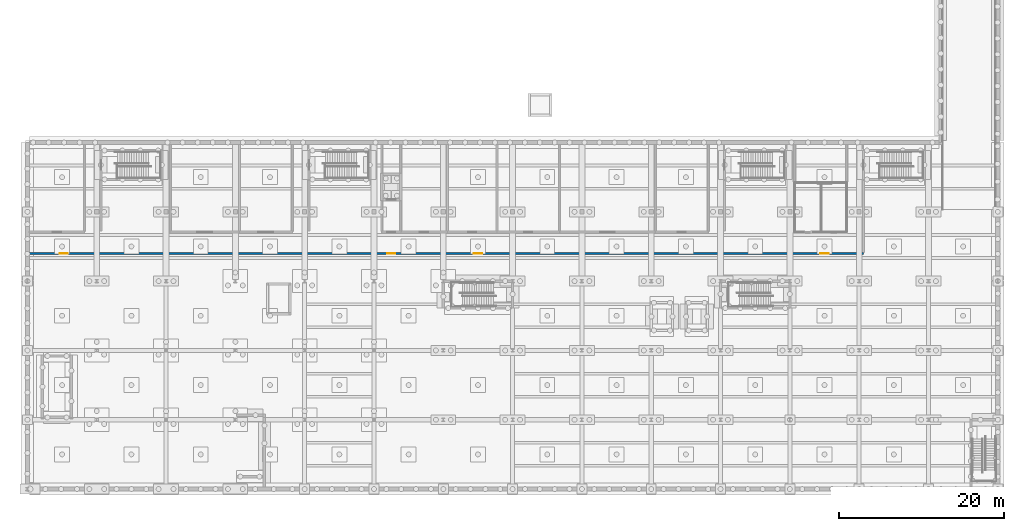
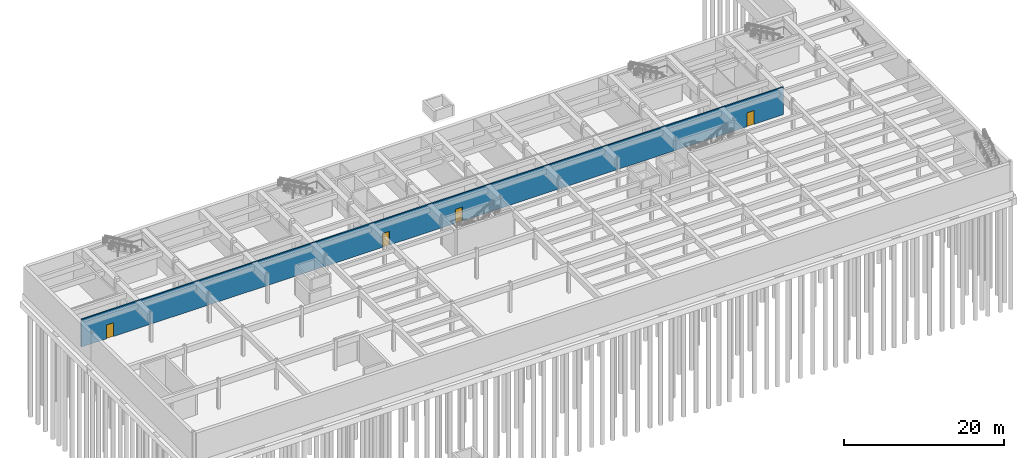
# One storey, part 23 of 33: 4 doors, 1 wall, 4 openings.
"""IFC4 building model written with IfcOpenShell, lengths in metres."""

import ifcopenshell
import ifcopenshell.guid

model = None  # the IFC model being written
_history = None  # IfcOwnerHistory: only IFC2X3 demands one
_inside = {}  # id of a spatial element -> (the spatial element, [elements in it])
_under = {}  # id of a project, library or spatial element -> (it, [spatial elements below it])
_declared = {}  # id of a project -> (the project, [libraries it declares])
_typed = {}  # id of a type object -> (the type object, [elements of that type])
_made_of = {}  # id of a material, layer set ... -> (it, [elements and type objects made of it])


def new_model(schema):
    """Start an empty IFC model of exactly this schema.

    Asked for "IFC4X3", IfcOpenShell would pick the latest addendum, in which some entities
    have other attributes; the version numbers below select the first issue.
    IFC2X3 requires an IfcOwnerHistory on every rooted entity: one is made here for all.
    """
    global model, _history
    if schema == "IFC4X3":
        model = ifcopenshell.file(schema_version=(4, 3, 0, 0))
    else:
        model = ifcopenshell.file(schema=schema)
    _inside.clear()
    _under.clear()
    _declared.clear()
    _typed.clear()
    _made_of.clear()
    _history = None
    if model.schema == "IFC2X3":
        org = make("IfcOrganization", Name="unknown")
        user = make(
            "IfcPersonAndOrganization",
            ThePerson=make("IfcPerson", FamilyName="unknown"),
            TheOrganization=org,
        )
        app = make(
            "IfcApplication",
            ApplicationDeveloper=org,
            Version="unknown",
            ApplicationFullName="unknown",
            ApplicationIdentifier="unknown",
        )
        _history = make(
            "IfcOwnerHistory",
            OwningUser=user,
            OwningApplication=app,
            ChangeAction="ADDED",
            CreationDate=0,
        )
    return model


def make(cls, **values):
    """One entity of the class cls with the attributes given. An attribute that is None is left unset."""
    return model.create_entity(
        cls, **{name: value for name, value in values.items() if value is not None}
    )


def rooted(cls, **values):
    """An entity with a GlobalId (a new one), such as an element, a storey or a relation."""
    return make(cls, GlobalId=ifcopenshell.guid.new(), OwnerHistory=_history, **values)


def si_unit(unit_type, name, prefix=None):
    """IfcSIUnit, for example si_unit("LENGTHUNIT", "METRE", prefix="MILLI")."""
    return make("IfcSIUnit", UnitType=unit_type, Prefix=prefix, Name=name)


def assignment(units):
    """IfcUnitAssignment: the units of a project."""
    return None if units is None else make("IfcUnitAssignment", Units=units)


def point(xyz):
    """IfcCartesianPoint."""
    return None if xyz is None else make("IfcCartesianPoint", Coordinates=xyz)


def direction(xyz):
    """IfcDirection."""
    return None if xyz is None else make("IfcDirection", DirectionRatios=xyz)


def frame(location, z_axis=None, x_axis=None):
    """IfcAxis2Placement3D, a coordinate frame: its origin and axes. An axis left out is left unset."""
    return make(
        "IfcAxis2Placement3D",
        Location=point(location),
        Axis=direction(z_axis),
        RefDirection=direction(x_axis),
    )


def frame_2d(location, x_axis=None):
    """IfcAxis2Placement2D, a coordinate frame in the plane: its origin and x axis."""
    return make(
        "IfcAxis2Placement2D", Location=point(location), RefDirection=direction(x_axis)
    )


def origin():
    """The frame at (0, 0, 0) with its axes left unset."""
    return frame((0.0, 0.0, 0.0))


def place(relative_to, where):
    """IfcLocalPlacement: puts the frame where relative to a parent placement (None: the world)."""
    return make(
        "IfcLocalPlacement", PlacementRelTo=relative_to, RelativePlacement=where
    )


def context(
    kind, dimensions, precision=None, world=None, true_north=None, identifier=None
):
    """IfcGeometricRepresentationContext, for example the 3D "Model" context."""
    return make(
        "IfcGeometricRepresentationContext",
        ContextIdentifier=identifier,
        ContextType=kind,
        CoordinateSpaceDimension=dimensions,
        Precision=precision,
        WorldCoordinateSystem=world,
        TrueNorth=true_north,
    )


def subcontext(parent, identifier, kind, view, scale=None):
    """IfcGeometricRepresentationSubContext, for example "Body" below "Model"."""
    return make(
        "IfcGeometricRepresentationSubContext",
        ContextIdentifier=identifier,
        ContextType=kind,
        ParentContext=parent,
        TargetScale=scale,
        TargetView=view,
    )


def project(units=None, contexts=None):
    """IfcProject with its units and contexts."""
    return rooted(
        "IfcProject",
        Name="project",
        RepresentationContexts=contexts,
        UnitsInContext=assignment(units),
    )


def spatial(cls, under=None, at=None, **own):
    """A site, building, storey or space (cls), placed at a placement, below another one or the project."""
    s = rooted(cls, ObjectPlacement=at, **own)
    if under is not None:
        _under.setdefault(under.id(), (under, []))[1].append(s)
    return s


def profile(cls, at=None, kind="AREA", **sizes):
    """A parametric profile (cls). Its sizes go by their IFC names, for example OverallWidth=200.0."""
    return make(cls, ProfileType=kind, Position=at, **sizes)


def rectangle(**sizes):
    """IfcRectangleProfileDef."""
    return profile("IfcRectangleProfileDef", **sizes)


def extrude(swept, where, along, depth):
    """IfcExtrudedAreaSolid: the profile swept, set in the frame where, extruded along a direction by depth."""
    return make(
        "IfcExtrudedAreaSolid",
        SweptArea=swept,
        Position=where,
        ExtrudedDirection=direction(along),
        Depth=depth,
    )


def shape(context_of_items, identifier, shape_type, items):
    """IfcShapeRepresentation: the items that make up one representation, for example the "Body"."""
    return make(
        "IfcShapeRepresentation",
        ContextOfItems=context_of_items,
        RepresentationIdentifier=identifier,
        RepresentationType=shape_type,
        Items=items,
    )


def material(Name=None, Category=None):
    """IfcMaterial."""
    return make("IfcMaterial", Name=Name, Category=Category)


def layer(
    of_material, thickness, ventilated=None, Name=None, Category=None, Priority=None
):
    """IfcMaterialLayer: one layer of a wall or slab, of a material (None: an air gap)."""
    return make(
        "IfcMaterialLayer",
        Material=of_material,
        LayerThickness=thickness,
        IsVentilated=ventilated,
        Name=Name,
        Category=Category,
        Priority=Priority,
    )


def layer_set(layers, Name=None):
    """IfcMaterialLayerSet."""
    return make("IfcMaterialLayerSet", MaterialLayers=layers, LayerSetName=Name)


def made_of(thing, what):
    """Note that an element or type object is made of a material, layer set ...; save() writes the relation."""
    if what is not None:
        _made_of.setdefault(what.id(), (what, []))[1].append(thing)
    return thing


def type_object(cls, material=None, **own):
    """A type object (cls), such as IfcWallType, which elements share."""
    return made_of(rooted(cls, **own), material)


def element(
    cls,
    number,
    at=None,
    inside=None,
    cuts=None,
    type_object=None,
    material=None,
    context=None,
    identifier="Body",
    shape_type=None,
    held_by="IfcProductDefinitionShape",
    body=None,
    shapes=None,
    **own,
):
    """One element of the class cls, such as IfcWall. Its Tag is "e" and its number.

    at: its placement. inside: the storey or other place that contains it. cuts: it is an
    opening in that element (IfcRelVoidsElement). A single representation is given by context,
    identifier, shape_type and body (its items); several are given by shapes. held_by: the class
    of the entity that holds the representations. save() writes the other relations.
    """
    e = rooted(cls, Tag="e%d" % number, ObjectPlacement=at, **own)
    if body is not None:
        shapes = [shape(context, identifier, shape_type, body)]
    if shapes is not None:
        e.Representation = make(held_by, Representations=shapes)
    if inside is not None:
        _inside.setdefault(inside.id(), (inside, []))[1].append(e)
    if cuts is not None:
        rooted(
            "IfcRelVoidsElement", RelatingBuildingElement=cuts, RelatedOpeningElement=e
        )
    if type_object is not None:
        _typed.setdefault(type_object.id(), (type_object, []))[1].append(e)
    return made_of(e, material)


def fill(opening, filler):
    """IfcRelFillsElement: the door or window that sits in an opening."""
    return rooted(
        "IfcRelFillsElement",
        RelatingOpeningElement=opening,
        RelatedBuildingElement=filler,
    )


def aggregate(whole, parts):
    """IfcRelAggregates: a whole, such as a stair, and the parts it consists of."""
    return rooted("IfcRelAggregates", RelatingObject=whole, RelatedObjects=parts)


def save(model, path):
    """Write the relations noted so far, then the file.

    IfcRelAggregates (storeys below a building ...), IfcRelContainedInSpatialStructure (elements
    in a storey), IfcRelDefinesByType, IfcRelAssociatesMaterial and IfcRelDeclares: one each for
    every whole, place, type object, material and project.
    """
    for whole, parts in _under.values():
        aggregate(whole, parts)
    for where, things in _inside.values():
        rooted(
            "IfcRelContainedInSpatialStructure",
            RelatedElements=things,
            RelatingStructure=where,
        )
    for kind, things in _typed.values():
        rooted("IfcRelDefinesByType", RelatedObjects=things, RelatingType=kind)
    for what, things in _made_of.values():
        rooted("IfcRelAssociatesMaterial", RelatedObjects=things, RelatingMaterial=what)
    for by, libraries in _declared.values():
        rooted("IfcRelDeclares", RelatingContext=by, RelatedDefinitions=libraries)
    model.write(path)


model = new_model("IFC4")

# Units and contexts
model_context = context("Model", 3, precision=1e-05, world=origin(), true_north=direction((0.0, 1.0)))
body_context = subcontext(model_context, "Body", "Model", "MODEL_VIEW")
ifc_project = project(units=[si_unit("LENGTHUNIT", "METRE"), si_unit("AREAUNIT", "SQUARE_METRE"), si_unit("VOLUMEUNIT", "CUBIC_METRE"), si_unit("PLANEANGLEUNIT", "RADIAN"), si_unit("MASSUNIT", "GRAM", prefix="KILO")], contexts=[model_context])

# Site, building, storey
site_placement = place(None, origin())
site = spatial("IfcSite", under=ifc_project, at=site_placement, CompositionType="ELEMENT")
building_placement = place(site_placement, origin())
building = spatial("IfcBuilding", under=site, at=building_placement, Name="Ljudholm Concert House", CompositionType="ELEMENT")
storey_placement = place(building_placement, frame((0.0, 0.0, -4.60009765625)))
storey = spatial("IfcBuildingStorey", under=building, at=storey_placement, Name="B1", CompositionType="ELEMENT", Elevation=-4.60009765625)

# Wall, openings, doors
ifc_material_1 = material(Name="Concrete masonry unit f'm 13.8 MPa", Category="masonry")
ifc_layer = layer(ifc_material_1, 0.199951171875)
ifc_layer_set = layer_set([ifc_layer], Name="Concrete masonry unit f'm 13.8 MPa")
wall_type = type_object("IfcWallType", Name="MASONRY WALL 200", PredefinedType="SOLIDWALL", material=ifc_layer_set)
wall_placement = place(storey_placement, frame((4.25, 133.35009765625, 0.0), z_axis=(0.0, 0.0, 1.0), x_axis=(1.0, 0.0, 0.0)))
wall = element("IfcWall", 1, at=wall_placement, inside=storey, type_object=wall_type, Name="Partition", PredefinedType="SOLIDWALL", context=body_context, shape_type="SweptSolid", body=[
    extrude(rectangle(XDim=101.050048828125, YDim=0.199951171875, at=frame_2d((50.52490234375, 0.0))), origin(), (0.0, 0.0, 1.0), 4.190185546875),
])
opening_1_placement = place(wall_placement, frame((3.64990234375, 0.0, 0.0)))
opening_1 = element("IfcOpeningElement", 2, at=opening_1_placement, cuts=wall, Name="Opening D-XB1-017", PredefinedType="OPENING", context=body_context, shape_type="SweptSolid", body=[
    extrude(rectangle(XDim=1.0, YDim=2.10009765625, at=frame_2d((0.5, 1.050048828125))), frame((0.0, 0.10986328125, 0.0), z_axis=(0.0, -1.0, 0.0), x_axis=(1.0, 0.0, 0.0)), (0.0, 0.0, 1.0), 0.219970703125),
])
opening_2_placement = place(wall_placement, frame((43.35009765625, 0.0, 0.0)))
opening_2 = element("IfcOpeningElement", 3, at=opening_2_placement, cuts=wall, Name="Opening D-XB1-018", PredefinedType="OPENING", context=body_context, shape_type="SweptSolid", body=[
    extrude(rectangle(XDim=1.0, YDim=2.10009765625, at=frame_2d((0.5, 1.050048828125))), frame((0.0, 0.10986328125, 0.0), z_axis=(0.0, -1.0, 0.0), x_axis=(1.0, 0.0, 0.0)), (0.0, 0.0, 1.0), 0.219970703125),
])
opening_3_placement = place(wall_placement, frame((53.85009765625, 0.0, 0.0)))
opening_3 = element("IfcOpeningElement", 4, at=opening_3_placement, cuts=wall, Name="Opening D-XB1-019", PredefinedType="OPENING", context=body_context, shape_type="SweptSolid", body=[
    extrude(rectangle(XDim=1.0, YDim=2.10009765625, at=frame_2d((0.5, 1.050048828125))), frame((0.0, 0.10986328125, 0.0), z_axis=(0.0, -1.0, 0.0), x_axis=(1.0, 0.0, 0.0)), (0.0, 0.0, 1.0), 0.219970703125),
])
opening_4_placement = place(wall_placement, frame((95.85009765625, 0.0, 0.0)))
opening_4 = element("IfcOpeningElement", 5, at=opening_4_placement, cuts=wall, Name="Opening D-XB1-020", PredefinedType="OPENING", context=body_context, shape_type="SweptSolid", body=[
    extrude(rectangle(XDim=1.0, YDim=2.10009765625, at=frame_2d((0.5, 1.050048828125))), frame((0.0, 0.10986328125, 0.0), z_axis=(0.0, -1.0, 0.0), x_axis=(1.0, 0.0, 0.0)), (0.0, 0.0, 1.0), 0.219970703125),
])
ifc_material_2 = material(Name="Hollow metal door in steel frame", Category="steel")
door_type = type_object("IfcDoorType", Name="SWING DOOR 1000x2100", OperationType="SINGLE_SWING_LEFT", PredefinedType="DOOR", material=ifc_material_2)
door_1_placement = place(opening_1_placement, frame((1.0, 0.0, 0.0), z_axis=(0.0, 0.0, 1.0), x_axis=(-1.0, 0.0, 0.0)))
door_1 = element("IfcDoor", 6, at=door_1_placement, inside=storey, type_object=door_type, Name="Plant corridor door", OperationType="SINGLE_SWING_RIGHT", OverallHeight=2.10009765625, OverallWidth=1.0, PredefinedType="DOOR", context=body_context, shape_type="SweptSolid", body=[
    extrude(rectangle(XDim=1.0, YDim=2.10009765625, at=frame_2d((0.5, 1.050048828125))), frame((0.0, 0.02490234375, 0.0), z_axis=(0.0, -1.0, 0.0), x_axis=(1.0, 0.0, 0.0)), (0.0, 0.0, 1.0), 0.050048828125),
])
fill(opening_1, door_1)
door_2_placement = place(opening_2_placement, frame((1.0, 0.0, 0.0), z_axis=(0.0, 0.0, 1.0), x_axis=(-1.0, 0.0, 0.0)))
door_2 = element("IfcDoor", 7, at=door_2_placement, inside=storey, type_object=door_type, Name="Plant corridor door", OperationType="SINGLE_SWING_LEFT", OverallHeight=2.10009765625, OverallWidth=1.0, PredefinedType="DOOR", context=body_context, shape_type="SweptSolid", body=[
    extrude(rectangle(XDim=1.0, YDim=2.10009765625, at=frame_2d((0.5, 1.050048828125))), frame((0.0, 0.02490234375, 0.0), z_axis=(0.0, -1.0, 0.0), x_axis=(1.0, 0.0, 0.0)), (0.0, 0.0, 1.0), 0.050048828125),
])
fill(opening_2, door_2)
door_3_placement = place(opening_3_placement, frame((1.0, 0.0, 0.0), z_axis=(0.0, 0.0, 1.0), x_axis=(-1.0, 0.0, 0.0)))
door_3 = element("IfcDoor", 8, at=door_3_placement, inside=storey, type_object=door_type, Name="Plant corridor door", OperationType="SINGLE_SWING_LEFT", OverallHeight=2.10009765625, OverallWidth=1.0, PredefinedType="DOOR", context=body_context, shape_type="SweptSolid", body=[
    extrude(rectangle(XDim=1.0, YDim=2.10009765625, at=frame_2d((0.5, 1.050048828125))), frame((0.0, 0.02490234375, 0.0), z_axis=(0.0, -1.0, 0.0), x_axis=(1.0, 0.0, 0.0)), (0.0, 0.0, 1.0), 0.050048828125),
])
fill(opening_3, door_3)
door_4_placement = place(opening_4_placement, frame((1.0, 0.0, 0.0), z_axis=(0.0, 0.0, 1.0), x_axis=(-1.0, 0.0, 0.0)))
door_4 = element("IfcDoor", 9, at=door_4_placement, inside=storey, type_object=door_type, Name="Plant corridor door", OperationType="SINGLE_SWING_RIGHT", OverallHeight=2.10009765625, OverallWidth=1.0, PredefinedType="DOOR", context=body_context, shape_type="SweptSolid", body=[
    extrude(rectangle(XDim=1.0, YDim=2.10009765625, at=frame_2d((0.5, 1.050048828125))), frame((0.0, 0.02490234375, 0.0), z_axis=(0.0, -1.0, 0.0), x_axis=(1.0, 0.0, 0.0)), (0.0, 0.0, 1.0), 0.050048828125),
])
fill(opening_4, door_4)

save(model, "model.ifc")
